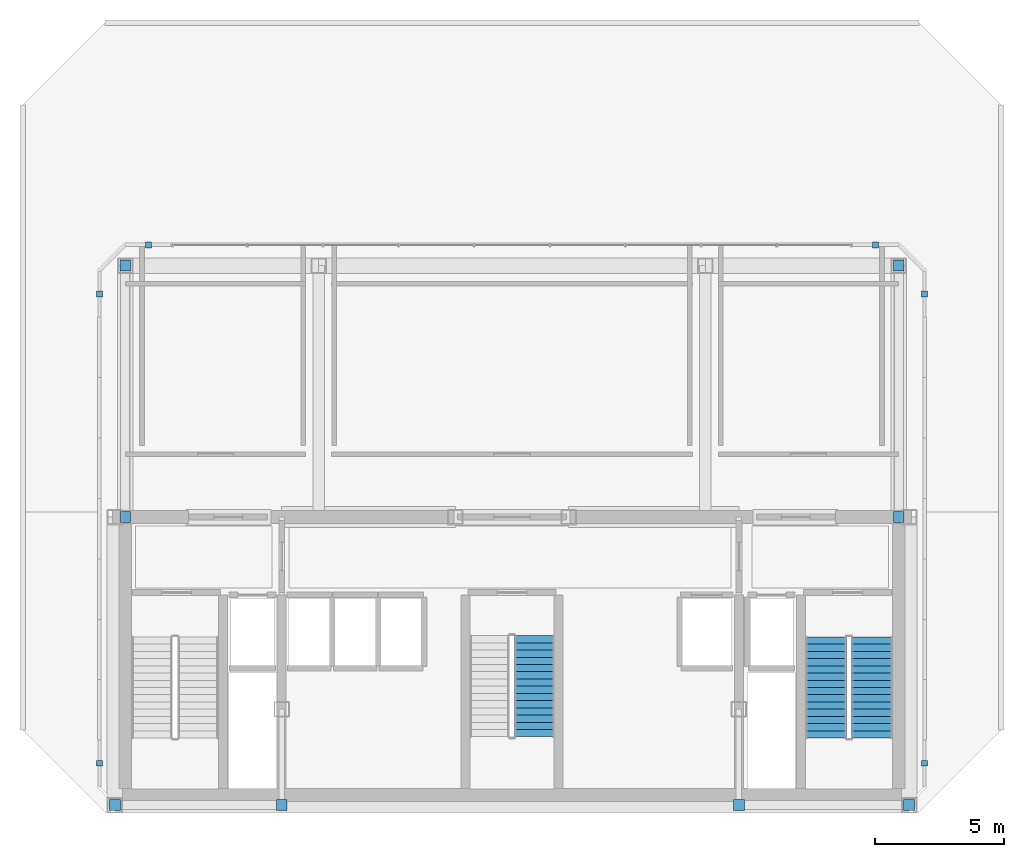
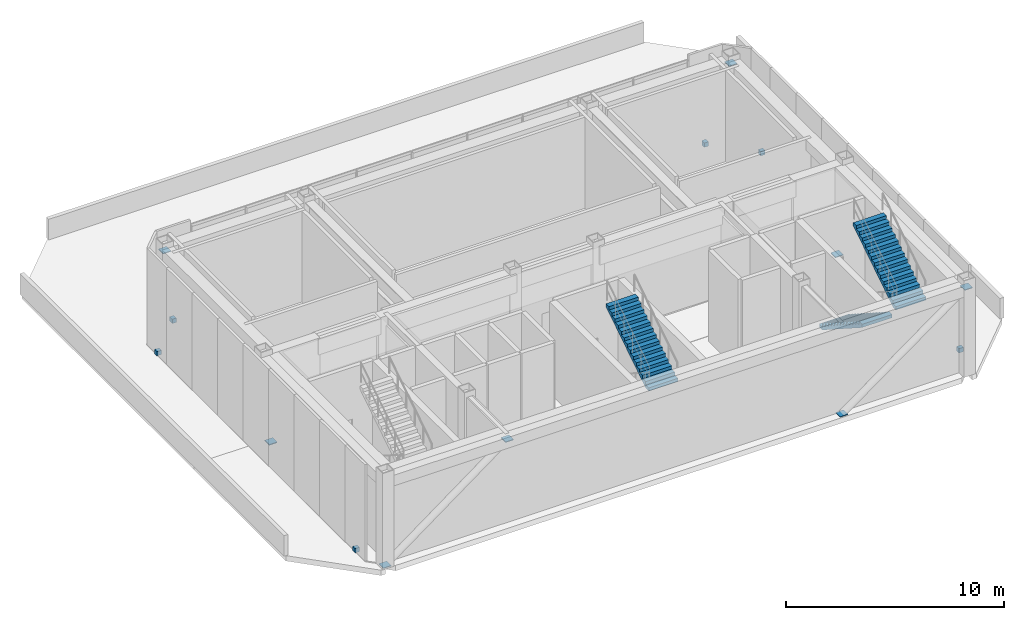
# One storey, part 10 of 11: 14 discrete accessories, 3 stair flights, 2 elements without a shape of their own.
"""IFC4 building model written with IfcOpenShell, lengths in metres."""

from ifc_helpers import new_model, si_unit, direction, frame, origin, origin_2d, place, context, subcontext, project, spatial, polyline, rectangle, outline, extrude, material, type_object, element, aggregate, save


model = new_model("IFC4")

# Units and contexts
model_context = context("Model", 3, precision=1e-05, world=origin(), true_north=direction((0.0, 1.0)))
body_context = subcontext(model_context, "Body", "Model", "MODEL_VIEW")
ifc_project = project(units=[si_unit("LENGTHUNIT", "METRE"), si_unit("AREAUNIT", "SQUARE_METRE"), si_unit("VOLUMEUNIT", "CUBIC_METRE"), si_unit("PLANEANGLEUNIT", "RADIAN"), si_unit("MASSUNIT", "GRAM", prefix="KILO")], contexts=[model_context])

# Site, building, storey
site_placement = place(None, origin())
site = spatial("IfcSite", under=ifc_project, at=site_placement, CompositionType="ELEMENT")
building_placement = place(site_placement, origin())
building = spatial("IfcBuilding", under=site, at=building_placement, Name="Ventersveld Concourse Tower", CompositionType="ELEMENT")
storey_placement = place(building_placement, frame((0.0, 0.0, 366.64990234375)))
storey = spatial("IfcBuildingStorey", under=building, at=storey_placement, Name="L90", CompositionType="ELEMENT", Elevation=366.64990234375)

# Stair, stair flight
ifc_material_1 = material(Name="Concrete C50/60", Category="concrete")
stair_type_1 = type_object("IfcStairType", Name="ST-DOG-155", PredefinedType="HALF_TURN_STAIR", material=ifc_material_1)
stair_1_placement = place(storey_placement, origin())
stair_1 = element("IfcStair", 1, at=stair_1_placement, inside=storey, type_object=stair_type_1, Name="L90 Protected Central Core Escape Stair ST-03", PredefinedType="HALF_TURN_STAIR")
stair_flight_type_1 = type_object("IfcStairFlightType", Name="STF-RC-155", PredefinedType="STRAIGHT", material=ifc_material_1)
stair_flight_1_placement = place(storey_placement, frame((29.625, 2.929931640625, 2.7001953125), z_axis=(0.0, 0.0, 1.0), x_axis=(0.0, 1.0, 0.0)))
stair_flight_1 = element("IfcStairFlight", 2, at=stair_flight_1_placement, type_object=stair_flight_type_1, Name="ST-03 flight 2", NumberOfRisers=15, NumberOfTreads=14, PredefinedType="STRAIGHT", RiserHeight=0.18, TreadLength=0.28, context=body_context, shape_type="SweptSolid", body=[
    extrude(outline(polyline([(0.0, 0.0), (0.0, 0.179931640625), (0.280029296875, 0.179931640625), (0.280029296875, 0.360107421875), (0.56005859375, 0.360107421875), (0.56005859375, 0.5400390625), (0.840087890625, 0.5400390625), (0.840087890625, 0.719970703125), (1.1201171875, 0.719970703125), (1.1201171875, 0.89990234375), (1.39990234375, 0.89990234375), (1.39990234375, 1.080078125), (1.679931640625, 1.080078125), (1.679931640625, 1.260009765625), (1.9599609375, 1.260009765625), (1.9599609375, 1.43994140625), (2.239990234375, 1.43994140625), (2.239990234375, 1.6201171875), (2.52001953125, 1.6201171875), (2.52001953125, 1.800048828125), (2.800048828125, 1.800048828125), (2.800048828125, 1.97998046875), (3.080078125, 1.97998046875), (3.080078125, 2.159912109375), (3.360107421875, 2.159912109375), (3.360107421875, 2.340087890625), (3.639892578125, 2.340087890625), (3.639892578125, 2.52001953125), (3.919921875, 2.52001953125), (3.919921875, 2.699951171875), (3.919921875, 2.341796875), (0.277099609375, 0.0), (0.0, 0.0)])), frame((0.0, 0.77490234375, 0.0), z_axis=(0.0, -1.0, 0.0), x_axis=(1.0, 0.0, 0.0)), (0.0, 0.0, 1.0), 1.550048828125),
])
aggregate(stair_1, [stair_flight_1])

# Stair, stair flights
stair_type_2 = type_object("IfcStairType", Name="ST-DOG-160", PredefinedType="HALF_TURN_STAIR", material=ifc_material_1)
stair_2_placement = place(storey_placement, origin())
stair_2 = element("IfcStair", 3, at=stair_2_placement, inside=storey, type_object=stair_type_2, Name="L90 Protected Tower Escape Stair ST-02", PredefinedType="HALF_TURN_STAIR")
stair_flight_type_2 = type_object("IfcStairFlightType", Name="STF-RC-160", PredefinedType="STRAIGHT", material=ifc_material_1)
stair_flight_2_placement = place(storey_placement, frame((40.919921875, 6.800048828125, 0.0), z_axis=(0.0, 0.0, 1.0), x_axis=(0.0, -1.0, 0.0)))
stair_flight_2 = element("IfcStairFlight", 4, at=stair_flight_2_placement, type_object=stair_flight_type_2, Name="ST-02 flight 1", NumberOfRisers=15, NumberOfTreads=14, PredefinedType="STRAIGHT", RiserHeight=0.18, TreadLength=0.28, context=body_context, shape_type="SweptSolid", body=[
    extrude(outline(polyline([(0.0, 0.0), (0.0, 0.179931640625), (0.280029296875, 0.179931640625), (0.280029296875, 0.360107421875), (0.56005859375, 0.360107421875), (0.56005859375, 0.5400390625), (0.840087890625, 0.5400390625), (0.840087890625, 0.719970703125), (1.1201171875, 0.719970703125), (1.1201171875, 0.89990234375), (1.39990234375, 0.89990234375), (1.39990234375, 1.080078125), (1.679931640625, 1.080078125), (1.679931640625, 1.260009765625), (1.9599609375, 1.260009765625), (1.9599609375, 1.43994140625), (2.239990234375, 1.43994140625), (2.239990234375, 1.6201171875), (2.52001953125, 1.6201171875), (2.52001953125, 1.800048828125), (2.800048828125, 1.800048828125), (2.800048828125, 1.97998046875), (3.080078125, 1.97998046875), (3.080078125, 2.159912109375), (3.360107421875, 2.159912109375), (3.360107421875, 2.340087890625), (3.639892578125, 2.340087890625), (3.639892578125, 2.52001953125), (3.919921875, 2.52001953125), (3.919921875, 2.699951171875), (3.919921875, 2.341796875), (0.277099609375, 0.0), (0.0, 0.0)])), frame((0.0, 0.800048828125, 0.0), z_axis=(0.0, -1.0, 0.0), x_axis=(1.0, 0.0, 0.0)), (0.0, 0.0, 1.0), 1.60009765625),
])
stair_flight_3_placement = place(storey_placement, frame((42.719970703125, 2.8798828125, 2.7001953125), z_axis=(0.0, 0.0, 1.0), x_axis=(0.0, 1.0, 0.0)))
stair_flight_3 = element("IfcStairFlight", 5, at=stair_flight_3_placement, type_object=stair_flight_type_2, Name="ST-02 flight 2", NumberOfRisers=15, NumberOfTreads=14, PredefinedType="STRAIGHT", RiserHeight=0.18, TreadLength=0.28, context=body_context, shape_type="SweptSolid", body=[
    extrude(outline(polyline([(0.0, 0.0), (0.0, 0.179931640625), (0.280029296875, 0.179931640625), (0.280029296875, 0.360107421875), (0.56005859375, 0.360107421875), (0.56005859375, 0.5400390625), (0.840087890625, 0.5400390625), (0.840087890625, 0.719970703125), (1.1201171875, 0.719970703125), (1.1201171875, 0.89990234375), (1.39990234375, 0.89990234375), (1.39990234375, 1.080078125), (1.679931640625, 1.080078125), (1.679931640625, 1.260009765625), (1.9599609375, 1.260009765625), (1.9599609375, 1.43994140625), (2.239990234375, 1.43994140625), (2.239990234375, 1.6201171875), (2.52001953125, 1.6201171875), (2.52001953125, 1.800048828125), (2.800048828125, 1.800048828125), (2.800048828125, 1.97998046875), (3.080078125, 1.97998046875), (3.080078125, 2.159912109375), (3.360107421875, 2.159912109375), (3.360107421875, 2.340087890625), (3.639892578125, 2.340087890625), (3.639892578125, 2.52001953125), (3.919921875, 2.52001953125), (3.919921875, 2.699951171875), (3.919921875, 2.341796875), (0.277099609375, 0.0), (0.0, 0.0)])), frame((0.0, 0.800048828125, 0.0), z_axis=(0.0, -1.0, 0.0), x_axis=(1.0, 0.0, 0.0)), (0.0, 0.0, 1.0), 1.60009765625),
])
aggregate(stair_2, [stair_flight_2, stair_flight_3])

# Discrete accessories
ifc_material_2 = material(Name="Structural steel S355J2", Category="steel")
discrete_accessory_type_1 = type_object("IfcDiscreteAccessoryType", Name="BRK-FACADE-150", PredefinedType="BRACKET", material=ifc_material_2)
for number, where, z_axis, x_axis, name in (
    (6, (44.75, 1.89990234375, 0.0), (0.0, 0.0, 1.0), (0.0, 1.0, 0.0), "L90 Crown Cladding Support Bracket E3-P1"),
    (7, (44.75, 20.10009765625, 0.0), (0.0, 0.0, 1.0), (0.0, 1.0, 0.0), "L90 Crown Cladding Support Bracket E3-P2"),
    (8, (42.85009765625, 22.0, 0.0), (0.0, 0.0, 1.0), (-1.0, 0.0, 0.0), "L90 Crown Cladding Support Bracket E5-P1"),
    (9, (14.64990234375, 22.0, 0.0), (0.0, 0.0, 1.0), (-1.0, 0.0, 0.0), "L90 Crown Cladding Support Bracket E5-P2"),
    (10, (12.75, 20.10009765625, 0.0), (0.0, 0.0, 1.0), (0.0, -1.0, 0.0), "L90 Crown Cladding Support Bracket E7-P1"),
    (11, (12.75, 1.89990234375, 0.0), (0.0, 0.0, 1.0), (0.0, -1.0, 0.0), "L90 Crown Cladding Support Bracket E7-P2"),
):
    element("IfcDiscreteAccessory", number, at=place(storey_placement, frame(where, z_axis=z_axis, x_axis=x_axis)), inside=storey, type_object=discrete_accessory_type_1, Name=name, PredefinedType="BRACKET", context=body_context, shape_type="SweptSolid", body=[
        extrude(rectangle(XDim=0.219970703125, YDim=0.239990234375, at=origin_2d()), origin(), (0.0, 0.0, 1.0), 0.239990234375),
    ])
discrete_accessory_type_2 = type_object("IfcDiscreteAccessoryType", Name="CONN-BRACE-ECP1", PredefinedType="BRACKET", material=ifc_material_2)
for number, where, z_axis, x_axis, name in (
    (12, (13.35009765625, 0.280029296875, -0.02001953125), (0.0, 0.0, 1.0), (1.0, 0.0, 0.0), "L90 Steel Brace End Connection Plate ECP1-0157"),
    (13, (19.820068359375, 0.280029296875, 4.780029296875), (0.0, 0.0, 1.0), (1.0, 0.0, 0.0), "L90 Steel Brace End Connection Plate ECP1-0158"),
    (14, (37.550048828125, 0.280029296875, -0.02001953125), (0.0, 0.0, 1.0), (1.0, 0.0, 0.0), "L90 Steel Brace End Connection Plate ECP1-0159"),
    (15, (44.14990234375, 0.280029296875, 4.780029296875), (0.0, 0.0, 1.0), (1.0, 0.0, 0.0), "L90 Steel Brace End Connection Plate ECP1-0160"),
    (16, (13.75, 11.449951171875, -0.02001953125), (0.0, 0.0, 1.0), (1.0, 0.0, 0.0), "L90 Steel Brace End Connection Plate ECP1-0161"),
    (17, (13.75, 21.199951171875, 4.780029296875), (0.0, 0.0, 1.0), (1.0, 0.0, 0.0), "L90 Steel Brace End Connection Plate ECP1-0162"),
    (18, (43.75, 11.449951171875, -0.02001953125), (0.0, 0.0, 1.0), (1.0, 0.0, 0.0), "L90 Steel Brace End Connection Plate ECP1-0163"),
    (19, (43.75, 21.199951171875, 4.780029296875), (0.0, 0.0, 1.0), (1.0, 0.0, 0.0), "L90 Steel Brace End Connection Plate ECP1-0164"),
):
    element("IfcDiscreteAccessory", number, at=place(storey_placement, frame(where, z_axis=z_axis, x_axis=x_axis)), inside=storey, type_object=discrete_accessory_type_2, Name=name, PredefinedType="BRACKET", context=body_context, shape_type="SweptSolid", body=[
        extrude(rectangle(XDim=0.419921875, YDim=0.419921875, at=origin_2d()), origin(), (0.0, 0.0, 1.0), 0.0400390625),
    ])

save(model, "model.ifc")
